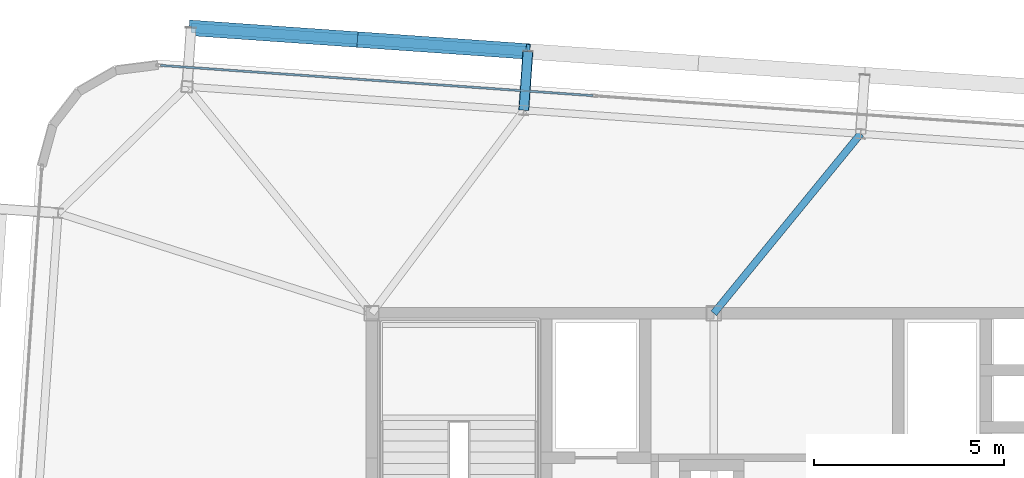
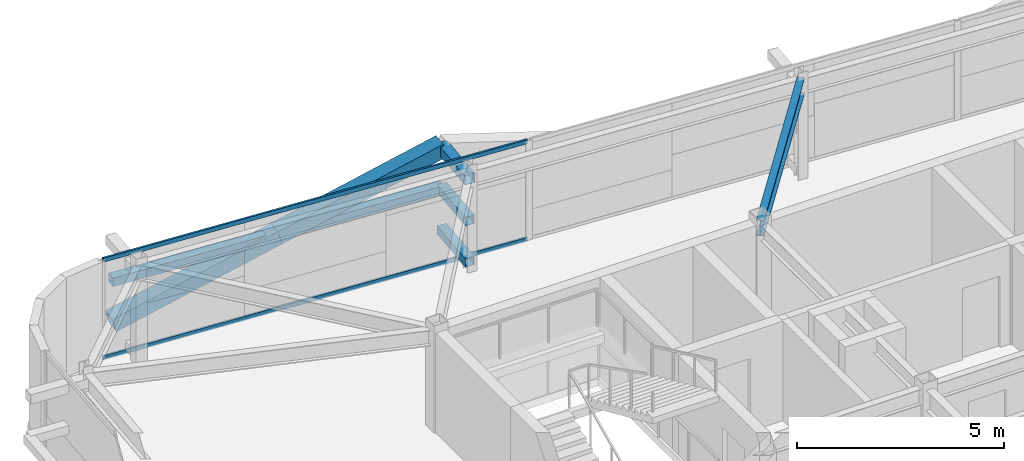
# One storey, part 20 of 39: 8 members, 1 beam, 1 element without a shape of its own.
"""IFC4 building model written with IfcOpenShell, lengths in metres."""

from ifc_helpers import new_model, si_unit, direction, frame, origin, origin_2d, place, context, subcontext, project, spatial, hollow_rectangle, i_section, extrude, source, transform, mapped, material, layer, layer_set, material_profile, profile_set, type_object, element, aggregate, save


model = new_model("IFC4")

# Units and contexts
model_context = context("Model", 3, precision=1e-05, world=origin(), true_north=direction((0.0, 1.0)))
body_context = subcontext(model_context, "Body", "Model", "MODEL_VIEW")
ifc_project = project(units=[si_unit("LENGTHUNIT", "METRE"), si_unit("AREAUNIT", "SQUARE_METRE"), si_unit("VOLUMEUNIT", "CUBIC_METRE"), si_unit("PLANEANGLEUNIT", "RADIAN"), si_unit("MASSUNIT", "GRAM", prefix="KILO")], contexts=[model_context])

# Site, building, storey
site_placement = place(None, origin())
site = spatial("IfcSite", under=ifc_project, at=site_placement, CompositionType="ELEMENT")
building_placement = place(site_placement, origin())
building = spatial("IfcBuilding", under=site, at=building_placement, Name="Taldren Reach Tower", CompositionType="ELEMENT")
storey_placement = place(building_placement, frame((0.0, 0.0, 145.60009765625)))
storey = spatial("IfcBuildingStorey", under=building, at=storey_placement, Name="L44", CompositionType="ELEMENT", Elevation=145.60009765625)

# Members
ifc_material_1 = material(Name="Steel Gr 450 (C450L0)", Category="steel")
ifc_material_profile_1 = material_profile(ifc_material_1, hollow_rectangle(XDim=0.27490234375, YDim=0.27490234375, WallThickness=0.00927734375, at=origin_2d()), Name="275x275x9.3SHS")
ifc_profile_set_1 = profile_set([ifc_material_profile_1], Name="Steel Gr 450 (C450L0)")
member_type_1 = type_object("IfcMemberType", Name="MB-TIE273", PredefinedType="STRUT", material=ifc_profile_set_1)
shared_shape_1 = source(origin(), body_context, "Body", "SweptSolid", [
    extrude(hollow_rectangle(XDim=0.27490234375, YDim=0.27490234375, WallThickness=0.00927734375, at=origin_2d()), origin(), (0.0, 0.0, 1.0), 1.5498046875),
])
member_1_placement = place(storey_placement, frame((23.0029296875, 37.33935546875, 2.64990234375), z_axis=(0.069780535098, 0.997562367434, 0.0), x_axis=(-0.997562367434, 0.069780535098, 0.0)))
element("IfcMember", 1, at=member_1_placement, inside=storey, type_object=member_type_1, Name="Exoskeleton diaphragm tie strut B3-N2 L44", PredefinedType="STRUT", context=body_context, shape_type="MappedRepresentation", body=[
    mapped(shared_shape_1, transform((0.0, 0.0, 0.0), scale=1.0)),
])
ifc_material_2 = material(Name="Steel Gr 350 (C350L0)", Category="steel")
ifc_material_profile_2 = material_profile(ifc_material_2, hollow_rectangle(XDim=0.25, YDim=0.25, WallThickness=0.010009765625, at=origin_2d()), Name="250x250x10.0SHS")
ifc_profile_set_2 = profile_set([ifc_material_profile_2], Name="Steel Gr 350 (C350L0)")
member_type_2 = type_object("IfcMemberType", Name="MB-POST250", PredefinedType="POST", material=ifc_profile_set_2)
shared_shape_2 = source(origin(), body_context, "Body", "SweptSolid", [
    extrude(hollow_rectangle(XDim=0.25, YDim=0.25, WallThickness=0.010009765625, at=origin_2d()), origin(), (0.0, 0.0, 1.0), 1.5498046875),
])
for number, where, z_axis, x_axis, name in (
    (2, (23.0029296875, 37.33935546875, 0.219970703125), (0.069780535098, 0.997562367434, 0.0), (-0.997562367434, 0.069780535098, 0.0), "Exoskeleton base diaphragm tie strut B3-N2 L44"),
    (3, (23.0029296875, 37.33935546875, 1.434814453125), (0.069780535098, 0.997562367434, 0.0), (-0.997562367434, 0.069780535098, 0.0), "Exoskeleton mid-tier diaphragm tie B3-N2 L44"),
):
    element("IfcMember", number, at=place(storey_placement, frame(where, z_axis=z_axis, x_axis=x_axis)), inside=storey, type_object=member_type_2, Name=name, PredefinedType="POST", context=body_context, shape_type="MappedRepresentation", body=[
        mapped(shared_shape_2, transform((0.0, 0.0, 0.0), scale=1.0)),
    ])

# Beam
ifc_material_3 = material(Name="Steel Gr 350 (350PLUS)", Category="steel")
ifc_material_profile_3 = material_profile(ifc_material_3, i_section(OverallWidth=0.19091796875, OverallDepth=0.4599609375, WebThickness=0.010009765625, FlangeThickness=0.01611328125, at=origin_2d()), Name="460UB82.1")
ifc_profile_set_3 = profile_set([ifc_material_profile_3], Name="Steel Gr 350 (350PLUS)")
beam_type = type_object("IfcBeamType", Name="BM-UB460A", PredefinedType="BEAM", material=ifc_profile_set_3)
shared_shape_3 = source(origin(), body_context, "Body", "SweptSolid", [
    extrude(i_section(OverallWidth=0.19091796875, OverallDepth=0.4599609375, WebThickness=0.010009765625, FlangeThickness=0.01611328125, at=origin_2d()), origin(), (0.0, 0.0, 1.0), 6.09814453125),
])
beam_placement = place(storey_placement, frame((28.0, 32.0, 2.699951171875), z_axis=(0.633192006663, 0.773994756247, 0.0), x_axis=(-0.773994756247, 0.633192006663, 0.0)))
element("IfcBeam", 4, at=beam_placement, inside=storey, type_object=beam_type, Name="Primary floor girder B3-N3 L44", PredefinedType="BEAM", context=body_context, shape_type="MappedRepresentation", body=[
    mapped(shared_shape_3, transform((0.0, 0.0, 0.0), scale=1.0)),
])

# Members
shared_shape_4 = source(origin(), body_context, "Body", "SweptSolid", [
    extrude(hollow_rectangle(XDim=0.25, YDim=0.25, WallThickness=0.010009765625, at=origin_2d()), origin(), (0.0, 0.0, 1.0), 8.880126953125),
])
member_2_placement = place(storey_placement, frame((14.252685546875, 39.5048828125, 1.434814453125), z_axis=(0.997564479639, -0.069750333063, 0.0), x_axis=(0.069750333063, 0.997564479639, 0.0)))
element("IfcMember", 5, at=member_2_placement, inside=storey, type_object=member_type_2, Name="Exoskeleton mid-height ring chord B3-N1 L44", PredefinedType="POST", context=body_context, shape_type="MappedRepresentation", body=[
    mapped(shared_shape_4, transform((0.0, 0.0, 0.0), scale=1.0)),
])
ifc_material_profile_4 = material_profile(ifc_material_1, hollow_rectangle(XDim=0.409912109375, YDim=0.409912109375, WallThickness=0.01611328125, at=origin_2d()), Name="410x410x16.0SHS")
ifc_profile_set_4 = profile_set([ifc_material_profile_4], Name="Steel Gr 450 (C450L0)")
member_type_3 = type_object("IfcMemberType", Name="MB-EXO406", PredefinedType="BRACE", material=ifc_profile_set_4)
shared_shape_5 = source(origin(), body_context, "Body", "SweptSolid", [
    extrude(hollow_rectangle(XDim=0.409912109375, YDim=0.409912109375, WallThickness=0.01611328125, at=origin_2d()), origin(), (0.0, 0.0, 1.0), 4.603271484375),
])
for number, where, z_axis, x_axis, name in (
    (6, (14.252685546875, 39.5048828125, 0.219970703125), (0.962199253371, -0.067251055742, 0.263912660389), (0.069722973508, 0.997566392259, 0.0), "Exoskeleton Diagrid Brace B3-N1 L44"),
    (7, (18.681884765625, 39.1953125, 1.434814453125), (0.962182351074, -0.067302910567, 0.263961060594), (0.06977769246, 0.997562566276, 0.0), "Exoskeleton Diagrid Brace B3-N1 L44"),
):
    element("IfcMember", number, at=place(storey_placement, frame(where, z_axis=z_axis, x_axis=x_axis)), inside=storey, type_object=member_type_3, Name=name, PredefinedType="BRACE", context=body_context, shape_type="MappedRepresentation", body=[
        mapped(shared_shape_5, transform((0.0, 0.0, 0.0), scale=1.0)),
    ])

# Curtain wall, members
ifc_material_4 = material(Name="Aluminium and Low-E Glass Unitised System", Category="aluminium")
ifc_layer = layer(ifc_material_4, 0.159912109375)
ifc_layer_set = layer_set([ifc_layer], Name="Aluminium and Low-E Glass Unitised System")
curtain_wall_type = type_object("IfcCurtainWallType", Name="CW-SYS-4", PredefinedType="NOTDEFINED", material=ifc_layer_set)
curtain_wall_placement = place(storey_placement, origin())
curtain_wall = element("IfcCurtainWall", 8, at=curtain_wall_placement, inside=storey, type_object=curtain_wall_type, Name="Unitised curtain wall CW-L44-N", PredefinedType="NOTDEFINED")
ifc_material_5 = material(Name="Anodised Aluminium 6063-T6", Category="aluminium")
ifc_material_profile_5 = material_profile(ifc_material_5, hollow_rectangle(XDim=0.054931640625, YDim=0.1201171875, WallThickness=0.0029296875, at=origin_2d()), Name="ALU-120x55x3RHS")
ifc_profile_set_5 = profile_set([ifc_material_profile_5], Name="Anodised Aluminium 6063-T6")
member_type_4 = type_object("IfcMemberType", Name="CW-TRN-135", PredefinedType="USERDEFINED", material=ifc_profile_set_5)
shared_shape_6 = source(origin(), body_context, "Body", "SweptSolid", [
    extrude(hollow_rectangle(XDim=0.054931640625, YDim=0.1201171875, WallThickness=0.0029296875, at=origin_2d()), origin(), (0.0, 0.0, 1.0), 11.39501953125),
])
member_3_placement = place(storey_placement, frame((24.819091796875, 37.7236328125, 0.02734375), z_axis=(-0.997563740682, 0.069760900766, 0.0), x_axis=(-0.069760900766, -0.997563740682, 0.0)))
member_3 = element("IfcMember", 9, at=member_3_placement, type_object=member_type_4, Name="CW-4 transom 4.1", ObjectType="TRANSOM", PredefinedType="USERDEFINED", context=body_context, shape_type="MappedRepresentation", body=[
    mapped(shared_shape_6, transform((0.0, 0.0, 0.0), scale=1.0)),
])
member_4_placement = place(storey_placement, frame((24.819091796875, 37.7236328125, 2.90234375), z_axis=(-0.997563740682, 0.069760900766, 0.0), x_axis=(-0.069760900766, -0.997563740682, 0.0)))
member_4 = element("IfcMember", 10, at=member_4_placement, type_object=member_type_4, Name="CW-4 transom 4.2", ObjectType="TRANSOM", PredefinedType="USERDEFINED", context=body_context, shape_type="MappedRepresentation", body=[
    mapped(shared_shape_6, transform((0.0, 0.0, 0.0), scale=1.0)),
])
aggregate(curtain_wall, [member_3, member_4])

save(model, "model.ifc")
